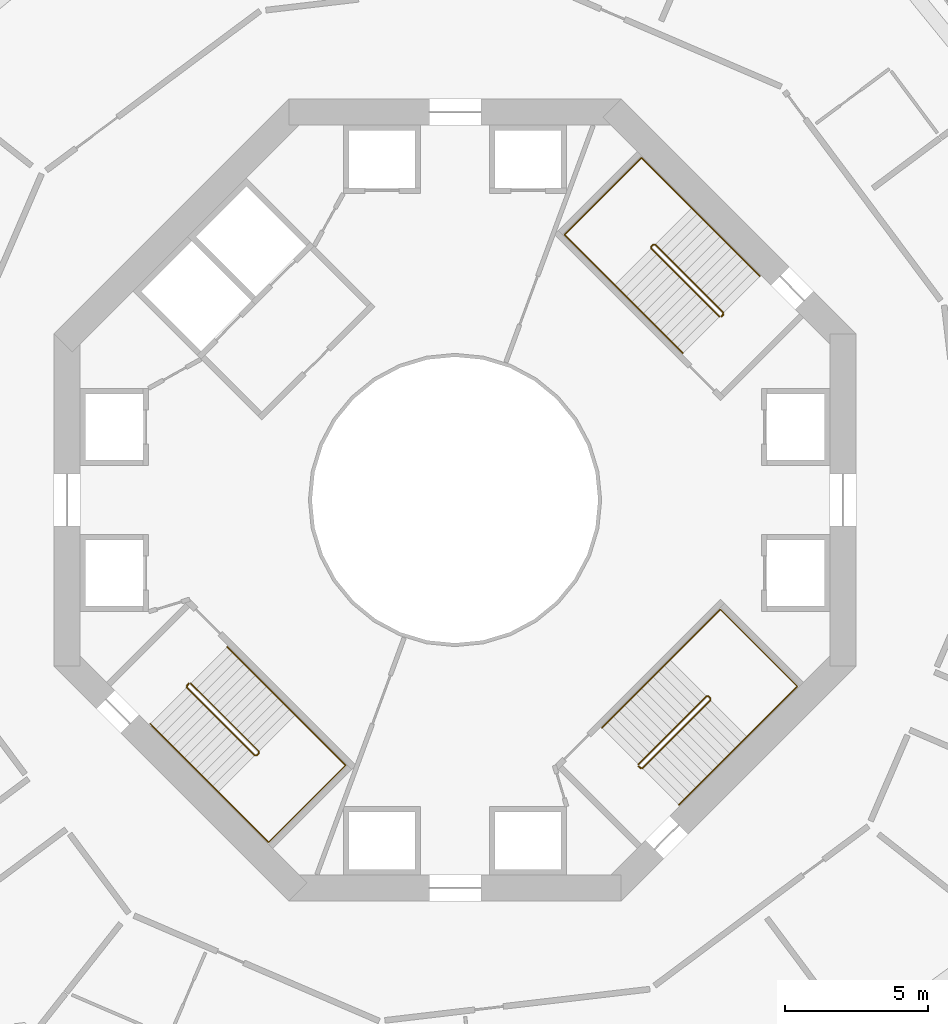
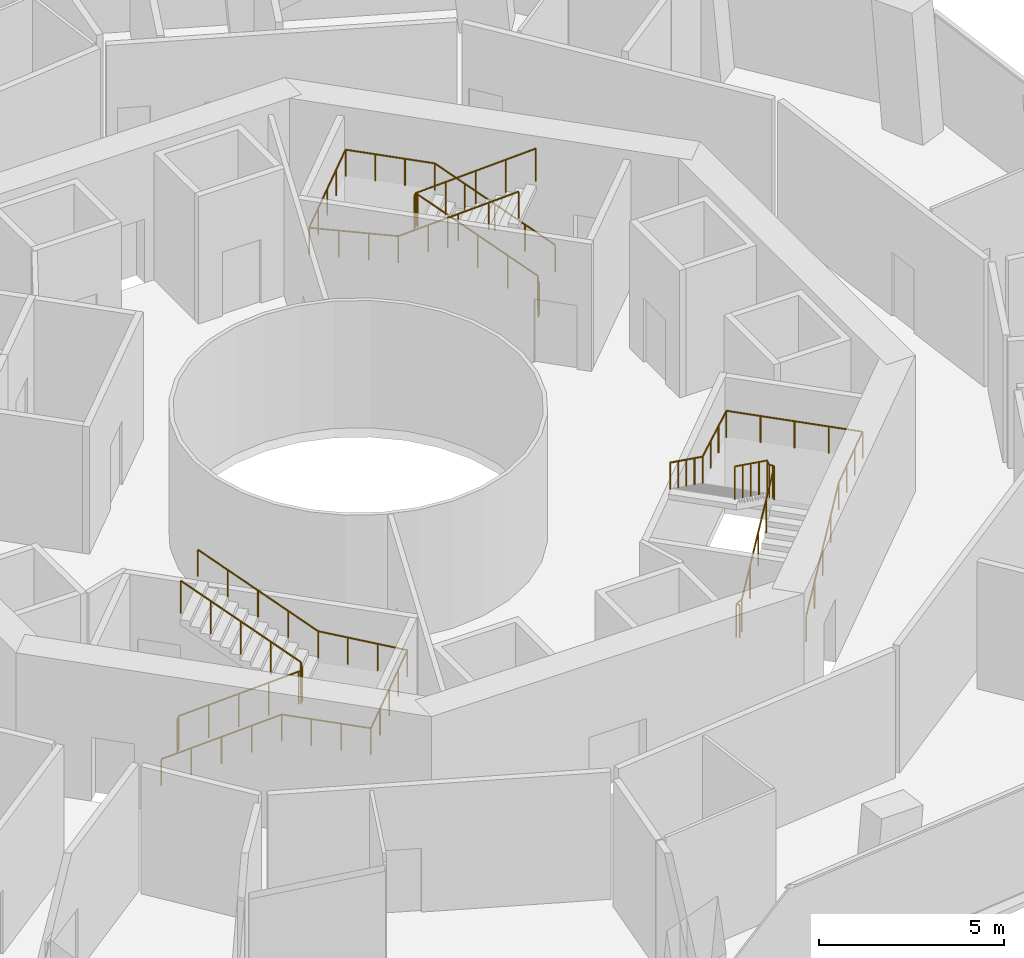
# One storey, part 17 of 17: 6 railings.
"""IFC4 building model written with IfcOpenShell, lengths in metres."""

from ifc_helpers import new_model, si_unit, direction, frame, origin, origin_2d, place, context, subcontext, project, spatial, circle, extrude, material, type_object, element, save


model = new_model("IFC4")

# Units and contexts
model_context = context("Model", 3, precision=1e-05, world=origin(), true_north=direction((0.0, 1.0)))
body_context = subcontext(model_context, "Body", "Model", "MODEL_VIEW")
ifc_project = project(units=[si_unit("LENGTHUNIT", "METRE"), si_unit("AREAUNIT", "SQUARE_METRE"), si_unit("VOLUMEUNIT", "CUBIC_METRE"), si_unit("PLANEANGLEUNIT", "RADIAN"), si_unit("MASSUNIT", "GRAM", prefix="KILO")], contexts=[model_context])

# Site, building, storey
site_placement = place(None, origin())
site = spatial("IfcSite", under=ifc_project, at=site_placement, CompositionType="ELEMENT")
building_placement = place(site_placement, origin())
building = spatial("IfcBuilding", under=site, at=building_placement, Name="Verdalira Terraces Hotel", CompositionType="ELEMENT")
storey_placement = place(building_placement, frame((0.0, 0.0, 60.0)))
storey = spatial("IfcBuildingStorey", under=building, at=storey_placement, Name="L13", CompositionType="ELEMENT", Elevation=60.0)

# Railings
ifc_material_1 = material(Name="Stainless steel", Category="steel")
railing_type_1 = type_object("IfcRailingType", Name="Stair guard 1100", PredefinedType="GUARDRAIL", material=ifc_material_1)
railing_1_placement = place(storey_placement, frame((9.369141, 6.469971, 0.0)))
element("IfcRailing", 1, at=railing_1_placement, inside=storey, type_object=railing_type_1, Name="L13 ST1 stair guard 1", PredefinedType="GUARDRAIL", context=body_context, shape_type="SweptSolid", body=[
    extrude(circle(Radius=0.023926, at=origin_2d()), frame((0.0, 0.0, 1.076172), z_axis=(-0.70832698, -0.705884473, 0.0), x_axis=(0.705884473, -0.70832698, 0.0)), (0.0, 0.0, 1.0), 0.099854),
    extrude(circle(Radius=0.023926, at=origin_2d()), frame((-0.070801, -0.070557, 1.076172), z_axis=(0.302014195, 0.602986962, 0.738372636), x_axis=(-0.894118129, 0.447831187, 0.0)), (0.0, 0.0, 1.0), 0.234375),
    extrude(circle(Radius=0.023926, at=origin_2d()), frame((0.0, 0.070801, 1.249023), z_axis=(-0.601505331, 0.601443524, 0.525791806), x_axis=(-0.707070449, -0.707143111, 0.0)), (0.0, 0.0, 1.0), 3.949951),
    extrude(circle(Radius=0.023926, at=origin_2d()), frame((-2.375977, 2.446533, 3.326172), z_axis=(-1.0, 0.0, 0.0), x_axis=(0.0, -1.0, 0.0)), (0.0, 0.0, 1.0), 0.070557),
    extrude(circle(Radius=0.023926, at=origin_2d()), frame((-2.446533, 2.446533, 3.326172), z_axis=(-0.70832698, -0.705884473, 0.0), x_axis=(0.705884473, -0.70832698, 0.0)), (0.0, 0.0, 1.0), 0.099854),
    extrude(circle(Radius=0.023926, at=origin_2d()), frame((-2.517334, 2.375977, 3.326172), z_axis=(0.0, -0.378582013, 0.92556775), x_axis=(1.0, 0.0, 0.0)), (0.0, 0.0, 1.0), 0.187012),
    extrude(circle(Radius=0.023926, at=origin_2d()), frame((-2.517334, 2.305176, 3.499023), z_axis=(0.601505331, -0.601443524, 0.525791806), x_axis=(0.707070449, 0.707143111, 0.0)), (0.0, 0.0, 1.0), 3.949951),
    extrude(circle(Radius=0.020996, at=origin_2d()), origin(), (0.0, 0.0, 1.0), 1.052002),
    extrude(circle(Radius=0.020996, at=origin_2d()), frame((-0.070801, -0.070557, 0.0)), (0.0, 0.0, 1.0), 1.052002),
    extrude(circle(Radius=0.020996, at=origin_2d()), frame((0.0, 0.070801, 0.173096)), (0.0, 0.0, 1.0), 1.052002),
    extrude(circle(Radius=0.020996, at=origin_2d()), frame((-0.593994, 0.664795, 0.692383)), (0.0, 0.0, 1.0), 1.052002),
    extrude(circle(Radius=0.020996, at=origin_2d()), frame((-1.187988, 1.258789, 1.211426)), (0.0, 0.0, 1.0), 1.052002),
    extrude(circle(Radius=0.020996, at=origin_2d()), frame((-1.781982, 1.852539, 1.730713)), (0.0, 0.0, 1.0), 1.052002),
    extrude(circle(Radius=0.020996, at=origin_2d()), frame((-2.375977, 2.446533, 2.25)), (0.0, 0.0, 1.0), 1.052002),
    extrude(circle(Radius=0.020996, at=origin_2d()), frame((-2.446533, 2.446533, 2.25)), (0.0, 0.0, 1.0), 1.052002),
    extrude(circle(Radius=0.020996, at=origin_2d()), frame((-2.517334, 2.375977, 2.25)), (0.0, 0.0, 1.0), 1.052002),
    extrude(circle(Radius=0.020996, at=origin_2d()), frame((-2.517334, 2.305176, 2.423096)), (0.0, 0.0, 1.0), 1.052002),
    extrude(circle(Radius=0.020996, at=origin_2d()), frame((-1.92334, 1.711182, 2.942383)), (0.0, 0.0, 1.0), 1.052002),
    extrude(circle(Radius=0.020996, at=origin_2d()), frame((-1.329346, 1.117188, 3.461426)), (0.0, 0.0, 1.0), 1.052002),
    extrude(circle(Radius=0.020996, at=origin_2d()), frame((-0.735352, 0.523438, 3.980713)), (0.0, 0.0, 1.0), 1.052002),
    extrude(circle(Radius=0.020996, at=origin_2d()), frame((-0.141357, -0.070557, 4.5)), (0.0, 0.0, 1.0), 1.052002),
])
railing_2_placement = place(storey_placement, frame((-9.369141, -6.469971, 0.0)))
element("IfcRailing", 2, at=railing_2_placement, inside=storey, type_object=railing_type_1, Name="L13 ST2 stair guard 1", PredefinedType="GUARDRAIL", context=body_context, shape_type="SweptSolid", body=[
    extrude(circle(Radius=0.023926, at=origin_2d()), frame((0.0, 0.0, 1.076172), z_axis=(0.70832698, 0.705884473, 0.0), x_axis=(-0.705884473, 0.70832698, 0.0)), (0.0, 0.0, 1.0), 0.099854),
    extrude(circle(Radius=0.023926, at=origin_2d()), frame((0.070801, 0.070557, 1.076172), z_axis=(-0.302014195, -0.602986962, 0.738372636), x_axis=(0.894118129, -0.447831187, 0.0)), (0.0, 0.0, 1.0), 0.234375),
    extrude(circle(Radius=0.023926, at=origin_2d()), frame((0.0, -0.070801, 1.249023), z_axis=(0.601505331, -0.601443524, 0.525791806), x_axis=(0.707070449, 0.707143111, 0.0)), (0.0, 0.0, 1.0), 3.949951),
    extrude(circle(Radius=0.023926, at=origin_2d()), frame((2.375977, -2.446533, 3.326172), z_axis=(1.0, 0.0, 0.0), x_axis=(0.0, 1.0, 0.0)), (0.0, 0.0, 1.0), 0.070557),
    extrude(circle(Radius=0.023926, at=origin_2d()), frame((2.446533, -2.446533, 3.326172), z_axis=(0.70832698, 0.705884473, 0.0), x_axis=(-0.705884473, 0.70832698, 0.0)), (0.0, 0.0, 1.0), 0.099854),
    extrude(circle(Radius=0.023926, at=origin_2d()), frame((2.517334, -2.375977, 3.326172), z_axis=(0.0, 0.378582013, 0.92556775), x_axis=(-1.0, 0.0, 0.0)), (0.0, 0.0, 1.0), 0.187012),
    extrude(circle(Radius=0.023926, at=origin_2d()), frame((2.517334, -2.305176, 3.499023), z_axis=(-0.601505331, 0.601443524, 0.525791806), x_axis=(-0.707070449, -0.707143111, 0.0)), (0.0, 0.0, 1.0), 3.949951),
    extrude(circle(Radius=0.020996, at=origin_2d()), origin(), (0.0, 0.0, 1.0), 1.052002),
    extrude(circle(Radius=0.020996, at=origin_2d()), frame((0.070801, 0.070557, 0.0)), (0.0, 0.0, 1.0), 1.052002),
    extrude(circle(Radius=0.020996, at=origin_2d()), frame((0.0, -0.070801, 0.173096)), (0.0, 0.0, 1.0), 1.052002),
    extrude(circle(Radius=0.020996, at=origin_2d()), frame((0.593994, -0.664795, 0.692383)), (0.0, 0.0, 1.0), 1.052002),
    extrude(circle(Radius=0.020996, at=origin_2d()), frame((1.187988, -1.258789, 1.211426)), (0.0, 0.0, 1.0), 1.052002),
    extrude(circle(Radius=0.020996, at=origin_2d()), frame((1.781982, -1.852539, 1.730713)), (0.0, 0.0, 1.0), 1.052002),
    extrude(circle(Radius=0.020996, at=origin_2d()), frame((2.375977, -2.446533, 2.25)), (0.0, 0.0, 1.0), 1.052002),
    extrude(circle(Radius=0.020996, at=origin_2d()), frame((2.446533, -2.446533, 2.25)), (0.0, 0.0, 1.0), 1.052002),
    extrude(circle(Radius=0.020996, at=origin_2d()), frame((2.517334, -2.375977, 2.25)), (0.0, 0.0, 1.0), 1.052002),
    extrude(circle(Radius=0.020996, at=origin_2d()), frame((2.517334, -2.305176, 2.423096)), (0.0, 0.0, 1.0), 1.052002),
    extrude(circle(Radius=0.020996, at=origin_2d()), frame((1.92334, -1.711182, 2.942383)), (0.0, 0.0, 1.0), 1.052002),
    extrude(circle(Radius=0.020996, at=origin_2d()), frame((1.329346, -1.117188, 3.461426)), (0.0, 0.0, 1.0), 1.052002),
    extrude(circle(Radius=0.020996, at=origin_2d()), frame((0.735352, -0.523438, 3.980713)), (0.0, 0.0, 1.0), 1.052002),
    extrude(circle(Radius=0.020996, at=origin_2d()), frame((0.141357, 0.070557, 4.5)), (0.0, 0.0, 1.0), 1.052002),
])
railing_3_placement = place(storey_placement, frame((6.469971, -9.369141, 0.0)))
element("IfcRailing", 3, at=railing_3_placement, inside=storey, type_object=railing_type_1, Name="L13 ST3 stair guard 1", PredefinedType="GUARDRAIL", context=body_context, shape_type="SweptSolid", body=[
    extrude(circle(Radius=0.023926, at=origin_2d()), frame((0.0, 0.0, 1.076172), z_axis=(-0.705884473, 0.70832698, 0.0), x_axis=(-0.70832698, -0.705884473, 0.0)), (0.0, 0.0, 1.0), 0.099854),
    extrude(circle(Radius=0.023926, at=origin_2d()), frame((-0.070557, 0.070801, 1.076172), z_axis=(0.602986962, -0.302014195, 0.738372636), x_axis=(0.447831187, 0.894118129, 0.0)), (0.0, 0.0, 1.0), 0.234375),
    extrude(circle(Radius=0.023926, at=origin_2d()), frame((0.070801, 0.0, 1.249023), z_axis=(0.601443524, 0.601505331, 0.525791806), x_axis=(-0.707143111, 0.707070449, 0.0)), (0.0, 0.0, 1.0), 3.949951),
    extrude(circle(Radius=0.023926, at=origin_2d()), frame((2.446533, 2.375977, 3.326172), z_axis=(0.0, 1.0, 0.0), x_axis=(-1.0, 0.0, 0.0)), (0.0, 0.0, 1.0), 0.070557),
    extrude(circle(Radius=0.023926, at=origin_2d()), frame((2.446533, 2.446533, 3.326172), z_axis=(-0.705884473, 0.70832698, 0.0), x_axis=(-0.70832698, -0.705884473, 0.0)), (0.0, 0.0, 1.0), 0.099854),
    extrude(circle(Radius=0.023926, at=origin_2d()), frame((2.375977, 2.517334, 3.326172), z_axis=(-0.378582013, 0.0, 0.92556775), x_axis=(0.0, -1.0, 0.0)), (0.0, 0.0, 1.0), 0.187012),
    extrude(circle(Radius=0.023926, at=origin_2d()), frame((2.305176, 2.517334, 3.499023), z_axis=(-0.601443524, -0.601505331, 0.525791806), x_axis=(0.707143111, -0.707070449, 0.0)), (0.0, 0.0, 1.0), 3.949951),
    extrude(circle(Radius=0.020996, at=origin_2d()), origin(), (0.0, 0.0, 1.0), 1.052002),
    extrude(circle(Radius=0.020996, at=origin_2d()), frame((-0.070557, 0.070801, 0.0)), (0.0, 0.0, 1.0), 1.052002),
    extrude(circle(Radius=0.020996, at=origin_2d()), frame((0.070801, 0.0, 0.173096)), (0.0, 0.0, 1.0), 1.052002),
    extrude(circle(Radius=0.020996, at=origin_2d()), frame((0.664795, 0.593994, 0.692383)), (0.0, 0.0, 1.0), 1.052002),
    extrude(circle(Radius=0.020996, at=origin_2d()), frame((1.258789, 1.187988, 1.211426)), (0.0, 0.0, 1.0), 1.052002),
    extrude(circle(Radius=0.020996, at=origin_2d()), frame((1.852539, 1.781982, 1.730713)), (0.0, 0.0, 1.0), 1.052002),
    extrude(circle(Radius=0.020996, at=origin_2d()), frame((2.446533, 2.375977, 2.25)), (0.0, 0.0, 1.0), 1.052002),
    extrude(circle(Radius=0.020996, at=origin_2d()), frame((2.446533, 2.446533, 2.25)), (0.0, 0.0, 1.0), 1.052002),
    extrude(circle(Radius=0.020996, at=origin_2d()), frame((2.375977, 2.517334, 2.25)), (0.0, 0.0, 1.0), 1.052002),
    extrude(circle(Radius=0.020996, at=origin_2d()), frame((2.305176, 2.517334, 2.423096)), (0.0, 0.0, 1.0), 1.052002),
    extrude(circle(Radius=0.020996, at=origin_2d()), frame((1.711182, 1.92334, 2.942383)), (0.0, 0.0, 1.0), 1.052002),
    extrude(circle(Radius=0.020996, at=origin_2d()), frame((1.117188, 1.329346, 3.461426)), (0.0, 0.0, 1.0), 1.052002),
    extrude(circle(Radius=0.020996, at=origin_2d()), frame((0.523438, 0.735352, 3.980713)), (0.0, 0.0, 1.0), 1.052002),
    extrude(circle(Radius=0.020996, at=origin_2d()), frame((-0.070557, 0.141357, 4.5)), (0.0, 0.0, 1.0), 1.052002),
])
ifc_material_2 = material(Name="Stainless steel", Category="steel")
railing_type_2 = type_object("IfcRailingType", Name="Stair handrail 900", PredefinedType="HANDRAIL", material=ifc_material_2)
railing_4_placement = place(storey_placement, frame((10.641846, 7.813477, 0.173096)))
element("IfcRailing", 4, at=railing_4_placement, inside=storey, type_object=railing_type_2, Name="L13 ST1 stair handrail 1", PredefinedType="HANDRAIL", context=body_context, shape_type="SweptSolid", body=[
    extrude(circle(Radius=0.023926, at=origin_2d()), frame((0.0, 0.0, 0.875977), z_axis=(-0.601443524, 0.601505331, 0.525791806), x_axis=(-0.707143111, -0.707070449, 0.0)), (0.0, 0.0, 1.0), 3.949951),
    extrude(circle(Radius=0.023926, at=origin_2d()), frame((-2.375732, 2.375977, 2.952637), z_axis=(-0.707106781, 0.707106781, 0.0), x_axis=(-0.707106781, -0.707106781, 0.0)), (0.0, 0.0, 1.0), 2.48999),
    extrude(circle(Radius=0.023926, at=origin_2d()), frame((-4.136475, 4.136719, 2.952637), z_axis=(-0.707106781, -0.707106781, 0.0), x_axis=(0.707106781, -0.707106781, 0.0)), (0.0, 0.0, 1.0), 3.800049),
    extrude(circle(Radius=0.023926, at=origin_2d()), frame((-6.823486, 1.449707, 2.952637), z_axis=(0.705404483, -0.705404483, 0.069347168), x_axis=(0.707106781, 0.707106781, 0.0)), (0.0, 0.0, 1.0), 2.496094),
    extrude(circle(Radius=0.023926, at=origin_2d()), frame((-5.062744, -0.311035, 3.125977), z_axis=(0.601443524, -0.601505331, 0.525791806), x_axis=(0.707143111, 0.707070449, 0.0)), (0.0, 0.0, 1.0), 3.949951),
    extrude(circle(Radius=0.020996, at=origin_2d()), origin(), (0.0, 0.0, 1.0), 0.851807),
    extrude(circle(Radius=0.020996, at=origin_2d()), frame((-0.593994, 0.593994, 0.519287)), (0.0, 0.0, 1.0), 0.851807),
    extrude(circle(Radius=0.020996, at=origin_2d()), frame((-1.187988, 1.187988, 1.038574)), (0.0, 0.0, 1.0), 0.851807),
    extrude(circle(Radius=0.020996, at=origin_2d()), frame((-1.781738, 1.781982, 1.557617)), (0.0, 0.0, 1.0), 0.851807),
    extrude(circle(Radius=0.020996, at=origin_2d()), frame((-2.375732, 2.375977, 2.076904)), (0.0, 0.0, 1.0), 0.851807),
    extrude(circle(Radius=0.020996, at=origin_2d()), frame((-2.962646, 2.962891, 2.076904)), (0.0, 0.0, 1.0), 0.851807),
    extrude(circle(Radius=0.020996, at=origin_2d()), frame((-3.549561, 3.549805, 2.076904)), (0.0, 0.0, 1.0), 0.851807),
    extrude(circle(Radius=0.020996, at=origin_2d()), frame((-4.136475, 4.136719, 2.076904)), (0.0, 0.0, 1.0), 0.851807),
    extrude(circle(Radius=0.020996, at=origin_2d()), frame((-4.808105, 3.464844, 2.076904)), (0.0, 0.0, 1.0), 0.851807),
    extrude(circle(Radius=0.020996, at=origin_2d()), frame((-5.47998, 2.793213, 2.076904)), (0.0, 0.0, 1.0), 0.851807),
    extrude(circle(Radius=0.020996, at=origin_2d()), frame((-6.151855, 2.121582, 2.076904)), (0.0, 0.0, 1.0), 0.851807),
    extrude(circle(Radius=0.020996, at=origin_2d()), frame((-6.823486, 1.449707, 2.076904)), (0.0, 0.0, 1.0), 0.851807),
    extrude(circle(Radius=0.020996, at=origin_2d()), frame((-6.236572, 0.862793, 2.134521)), (0.0, 0.0, 1.0), 0.851807),
    extrude(circle(Radius=0.020996, at=origin_2d()), frame((-5.649658, 0.275879, 2.192383)), (0.0, 0.0, 1.0), 0.851807),
    extrude(circle(Radius=0.020996, at=origin_2d()), frame((-5.062744, -0.311035, 2.25)), (0.0, 0.0, 1.0), 0.851807),
    extrude(circle(Radius=0.020996, at=origin_2d()), frame((-4.46875, -0.905029, 2.769287)), (0.0, 0.0, 1.0), 0.851807),
    extrude(circle(Radius=0.020996, at=origin_2d()), frame((-3.875, -1.499023, 3.288574)), (0.0, 0.0, 1.0), 0.851807),
    extrude(circle(Radius=0.020996, at=origin_2d()), frame((-3.281006, -2.093018, 3.807617)), (0.0, 0.0, 1.0), 0.851807),
    extrude(circle(Radius=0.020996, at=origin_2d()), frame((-2.687012, -2.687012, 4.326904)), (0.0, 0.0, 1.0), 0.851807),
])
railing_5_placement = place(storey_placement, frame((-10.641846, -7.813477, 0.173096)))
element("IfcRailing", 5, at=railing_5_placement, inside=storey, type_object=railing_type_2, Name="L13 ST2 stair handrail 1", PredefinedType="HANDRAIL", context=body_context, shape_type="SweptSolid", body=[
    extrude(circle(Radius=0.023926, at=origin_2d()), frame((0.0, 0.0, 0.875977), z_axis=(0.601443524, -0.601505331, 0.525791806), x_axis=(0.707143111, 0.707070449, 0.0)), (0.0, 0.0, 1.0), 3.949951),
    extrude(circle(Radius=0.023926, at=origin_2d()), frame((2.375732, -2.375977, 2.952637), z_axis=(0.707106781, -0.707106781, 0.0), x_axis=(0.707106781, 0.707106781, 0.0)), (0.0, 0.0, 1.0), 2.48999),
    extrude(circle(Radius=0.023926, at=origin_2d()), frame((4.136475, -4.136719, 2.952637), z_axis=(0.707106781, 0.707106781, 0.0), x_axis=(-0.707106781, 0.707106781, 0.0)), (0.0, 0.0, 1.0), 3.800049),
    extrude(circle(Radius=0.023926, at=origin_2d()), frame((6.823486, -1.449707, 2.952637), z_axis=(-0.705404483, 0.705404483, 0.069347168), x_axis=(-0.707106781, -0.707106781, 0.0)), (0.0, 0.0, 1.0), 2.496094),
    extrude(circle(Radius=0.023926, at=origin_2d()), frame((5.062744, 0.311035, 3.125977), z_axis=(-0.601443524, 0.601505331, 0.525791806), x_axis=(-0.707143111, -0.707070449, 0.0)), (0.0, 0.0, 1.0), 3.949951),
    extrude(circle(Radius=0.020996, at=origin_2d()), origin(), (0.0, 0.0, 1.0), 0.851807),
    extrude(circle(Radius=0.020996, at=origin_2d()), frame((0.593994, -0.593994, 0.519287)), (0.0, 0.0, 1.0), 0.851807),
    extrude(circle(Radius=0.020996, at=origin_2d()), frame((1.187988, -1.187988, 1.038574)), (0.0, 0.0, 1.0), 0.851807),
    extrude(circle(Radius=0.020996, at=origin_2d()), frame((1.781738, -1.781982, 1.557617)), (0.0, 0.0, 1.0), 0.851807),
    extrude(circle(Radius=0.020996, at=origin_2d()), frame((2.375732, -2.375977, 2.076904)), (0.0, 0.0, 1.0), 0.851807),
    extrude(circle(Radius=0.020996, at=origin_2d()), frame((2.962646, -2.962891, 2.076904)), (0.0, 0.0, 1.0), 0.851807),
    extrude(circle(Radius=0.020996, at=origin_2d()), frame((3.549561, -3.549805, 2.076904)), (0.0, 0.0, 1.0), 0.851807),
    extrude(circle(Radius=0.020996, at=origin_2d()), frame((4.136475, -4.136719, 2.076904)), (0.0, 0.0, 1.0), 0.851807),
    extrude(circle(Radius=0.020996, at=origin_2d()), frame((4.808105, -3.464844, 2.076904)), (0.0, 0.0, 1.0), 0.851807),
    extrude(circle(Radius=0.020996, at=origin_2d()), frame((5.47998, -2.793213, 2.076904)), (0.0, 0.0, 1.0), 0.851807),
    extrude(circle(Radius=0.020996, at=origin_2d()), frame((6.151855, -2.121582, 2.076904)), (0.0, 0.0, 1.0), 0.851807),
    extrude(circle(Radius=0.020996, at=origin_2d()), frame((6.823486, -1.449707, 2.076904)), (0.0, 0.0, 1.0), 0.851807),
    extrude(circle(Radius=0.020996, at=origin_2d()), frame((6.236572, -0.862793, 2.134521)), (0.0, 0.0, 1.0), 0.851807),
    extrude(circle(Radius=0.020996, at=origin_2d()), frame((5.649658, -0.275879, 2.192383)), (0.0, 0.0, 1.0), 0.851807),
    extrude(circle(Radius=0.020996, at=origin_2d()), frame((5.062744, 0.311035, 2.25)), (0.0, 0.0, 1.0), 0.851807),
    extrude(circle(Radius=0.020996, at=origin_2d()), frame((4.46875, 0.905029, 2.769287)), (0.0, 0.0, 1.0), 0.851807),
    extrude(circle(Radius=0.020996, at=origin_2d()), frame((3.875, 1.499023, 3.288574)), (0.0, 0.0, 1.0), 0.851807),
    extrude(circle(Radius=0.020996, at=origin_2d()), frame((3.281006, 2.093018, 3.807617)), (0.0, 0.0, 1.0), 0.851807),
    extrude(circle(Radius=0.020996, at=origin_2d()), frame((2.687012, 2.687012, 4.326904)), (0.0, 0.0, 1.0), 0.851807),
])
railing_6_placement = place(storey_placement, frame((7.813477, -10.641846, 0.173096)))
element("IfcRailing", 6, at=railing_6_placement, inside=storey, type_object=railing_type_2, Name="L13 ST3 stair handrail 1", PredefinedType="HANDRAIL", context=body_context, shape_type="SweptSolid", body=[
    extrude(circle(Radius=0.023926, at=origin_2d()), frame((0.0, 0.0, 0.875977), z_axis=(0.601505331, 0.601443524, 0.525791806), x_axis=(-0.707070449, 0.707143111, 0.0)), (0.0, 0.0, 1.0), 3.949951),
    extrude(circle(Radius=0.023926, at=origin_2d()), frame((2.375977, 2.375732, 2.952637), z_axis=(0.707106781, 0.707106781, 0.0), x_axis=(-0.707106781, 0.707106781, 0.0)), (0.0, 0.0, 1.0), 2.48999),
    extrude(circle(Radius=0.023926, at=origin_2d()), frame((4.136719, 4.136475, 2.952637), z_axis=(-0.707106781, 0.707106781, 0.0), x_axis=(-0.707106781, -0.707106781, 0.0)), (0.0, 0.0, 1.0), 3.800049),
    extrude(circle(Radius=0.023926, at=origin_2d()), frame((1.449707, 6.823486, 2.952637), z_axis=(-0.705404483, -0.705404483, 0.069347168), x_axis=(0.707106781, -0.707106781, 0.0)), (0.0, 0.0, 1.0), 2.496094),
    extrude(circle(Radius=0.023926, at=origin_2d()), frame((-0.311035, 5.062744, 3.125977), z_axis=(-0.601505331, -0.601443524, 0.525791806), x_axis=(0.707070449, -0.707143111, 0.0)), (0.0, 0.0, 1.0), 3.949951),
    extrude(circle(Radius=0.020996, at=origin_2d()), origin(), (0.0, 0.0, 1.0), 0.851807),
    extrude(circle(Radius=0.020996, at=origin_2d()), frame((0.593994, 0.593994, 0.519287)), (0.0, 0.0, 1.0), 0.851807),
    extrude(circle(Radius=0.020996, at=origin_2d()), frame((1.187988, 1.187988, 1.038574)), (0.0, 0.0, 1.0), 0.851807),
    extrude(circle(Radius=0.020996, at=origin_2d()), frame((1.781982, 1.781738, 1.557617)), (0.0, 0.0, 1.0), 0.851807),
    extrude(circle(Radius=0.020996, at=origin_2d()), frame((2.375977, 2.375732, 2.076904)), (0.0, 0.0, 1.0), 0.851807),
    extrude(circle(Radius=0.020996, at=origin_2d()), frame((2.962891, 2.962646, 2.076904)), (0.0, 0.0, 1.0), 0.851807),
    extrude(circle(Radius=0.020996, at=origin_2d()), frame((3.549805, 3.549561, 2.076904)), (0.0, 0.0, 1.0), 0.851807),
    extrude(circle(Radius=0.020996, at=origin_2d()), frame((4.136719, 4.136475, 2.076904)), (0.0, 0.0, 1.0), 0.851807),
    extrude(circle(Radius=0.020996, at=origin_2d()), frame((3.464844, 4.808105, 2.076904)), (0.0, 0.0, 1.0), 0.851807),
    extrude(circle(Radius=0.020996, at=origin_2d()), frame((2.793213, 5.47998, 2.076904)), (0.0, 0.0, 1.0), 0.851807),
    extrude(circle(Radius=0.020996, at=origin_2d()), frame((2.121582, 6.151855, 2.076904)), (0.0, 0.0, 1.0), 0.851807),
    extrude(circle(Radius=0.020996, at=origin_2d()), frame((1.449707, 6.823486, 2.076904)), (0.0, 0.0, 1.0), 0.851807),
    extrude(circle(Radius=0.020996, at=origin_2d()), frame((0.862793, 6.236572, 2.134521)), (0.0, 0.0, 1.0), 0.851807),
    extrude(circle(Radius=0.020996, at=origin_2d()), frame((0.275879, 5.649658, 2.192383)), (0.0, 0.0, 1.0), 0.851807),
    extrude(circle(Radius=0.020996, at=origin_2d()), frame((-0.311035, 5.062744, 2.25)), (0.0, 0.0, 1.0), 0.851807),
    extrude(circle(Radius=0.020996, at=origin_2d()), frame((-0.905029, 4.46875, 2.769287)), (0.0, 0.0, 1.0), 0.851807),
    extrude(circle(Radius=0.020996, at=origin_2d()), frame((-1.499023, 3.875, 3.288574)), (0.0, 0.0, 1.0), 0.851807),
    extrude(circle(Radius=0.020996, at=origin_2d()), frame((-2.093018, 3.281006, 3.807617)), (0.0, 0.0, 1.0), 0.851807),
    extrude(circle(Radius=0.020996, at=origin_2d()), frame((-2.687012, 2.687012, 4.326904)), (0.0, 0.0, 1.0), 0.851807),
])

save(model, "model.ifc")
